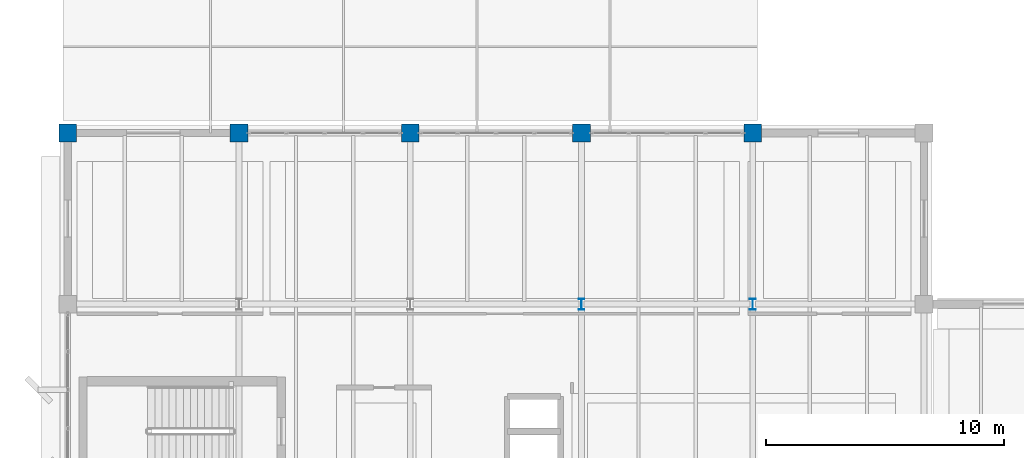
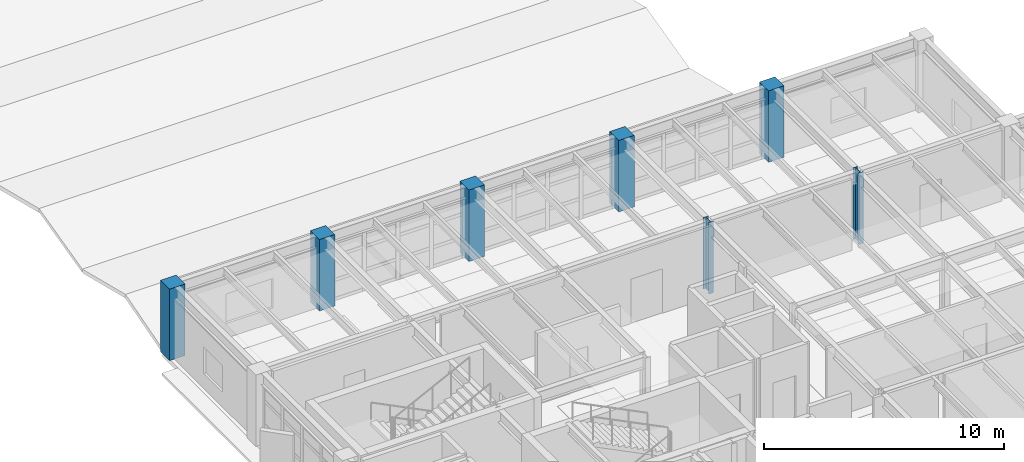
# One storey, part 2 of 48: 7 columns.
"""IFC4 building model written with IfcOpenShell, lengths in metres."""

from ifc_helpers import new_model, si_unit, direction, frame, origin, origin_2d, place, context, subcontext, project, spatial, rectangle, i_section, extrude, material, material_profile, profile_set, type_object, element, save


model = new_model("IFC4")

# Units and contexts
model_context = context("Model", 3, precision=1e-05, world=origin(), true_north=direction((0.0, 1.0)))
body_context = subcontext(model_context, "Body", "Model", "MODEL_VIEW")
ifc_project = project(units=[si_unit("LENGTHUNIT", "METRE"), si_unit("AREAUNIT", "SQUARE_METRE"), si_unit("VOLUMEUNIT", "CUBIC_METRE"), si_unit("PLANEANGLEUNIT", "RADIAN"), si_unit("MASSUNIT", "GRAM", prefix="KILO")], contexts=[model_context])

# Site, building, storey
site_placement = place(None, origin())
site = spatial("IfcSite", under=ifc_project, at=site_placement, CompositionType="ELEMENT")
building_placement = place(site_placement, origin())
building = spatial("IfcBuilding", under=site, at=building_placement, Name="Kandorven Conservatory and Botanical Research Centre", CompositionType="ELEMENT")
storey_placement = place(building_placement, frame((0.0, 0.0, 13.199951171875)))
storey = spatial("IfcBuildingStorey", under=building, at=storey_placement, Name="L03", CompositionType="ELEMENT", Elevation=13.199951171875)

# Columns
ifc_material_1 = material(Name="Steel S355 (IS 2062 E350)", Category="steel")
ifc_material_profile_1 = material_profile(ifc_material_1, i_section(OverallWidth=0.25, OverallDepth=0.449951171875, WebThickness=0.01123046875, FlangeThickness=0.013671875, at=origin_2d()))
ifc_profile_set_1 = profile_set([ifc_material_profile_1], Name="Steel S355 (IS 2062 E350)")
column_type_1 = type_object("IfcColumnType", Name="Col_SC-01", PredefinedType="COLUMN", material=ifc_profile_set_1)
for number, where, z_axis, x_axis, name in (
    (1, (27.60009765625, 27.60009765625, 0.0), (0.0, 0.0, 1.0), (1.0, 0.0, 0.0), "Column SC-01 TWR L03 (4,4)"),
    (2, (34.800048828125, 27.60009765625, 0.0), (0.0, 0.0, 1.0), (1.0, 0.0, 0.0), "Column SC-01 TWR L03 (5,4)"),
):
    element("IfcColumn", number, at=place(storey_placement, frame(where, z_axis=z_axis, x_axis=x_axis)), inside=storey, type_object=column_type_1, Name=name, PredefinedType="COLUMN", context=body_context, shape_type="SweptSolid", body=[
        extrude(i_section(OverallWidth=0.25, OverallDepth=0.449951171875, WebThickness=0.01123046875, FlangeThickness=0.013671875, at=origin_2d()), origin(), (0.0, 0.0, 1.0), 3.635009765625),
    ])
ifc_material_2 = material(Name="Concrete C40/50 (M50)", Category="concrete")
ifc_material_profile_2 = material_profile(ifc_material_2, rectangle(XDim=0.75, YDim=0.75, at=origin_2d()))
ifc_profile_set_2 = profile_set([ifc_material_profile_2], Name="Concrete C40/50 (M50)")
column_type_2 = type_object("IfcColumnType", Name="Col_TC-03", PredefinedType="COLUMN", material=ifc_profile_set_2)
for number, where, z_axis, x_axis, name in (
    (3, (6.0, 34.800048828125, 0.0), (0.0, 0.0, 1.0), (1.0, 0.0, 0.0), "Column TC-03 TWR L03 (1,5)"),
    (4, (13.199951171875, 34.800048828125, 0.0), (0.0, 0.0, 1.0), (1.0, 0.0, 0.0), "Column TC-03 TWR L03 (2,5)"),
    (5, (20.39990234375, 34.800048828125, 0.0), (0.0, 0.0, 1.0), (1.0, 0.0, 0.0), "Column TC-03 TWR L03 (3,5)"),
    (6, (27.60009765625, 34.800048828125, 0.0), (0.0, 0.0, 1.0), (1.0, 0.0, 0.0), "Column TC-03 TWR L03 (4,5)"),
    (7, (34.800048828125, 34.800048828125, 0.0), (0.0, 0.0, 1.0), (1.0, 0.0, 0.0), "Column TC-03 TWR L03 (5,5)"),
):
    element("IfcColumn", number, at=place(storey_placement, frame(where, z_axis=z_axis, x_axis=x_axis)), inside=storey, type_object=column_type_2, Name=name, PredefinedType="COLUMN", context=body_context, shape_type="SweptSolid", body=[
        extrude(rectangle(XDim=0.75, YDim=0.75, at=origin_2d()), origin(), (0.0, 0.0, 1.0), 3.635009765625),
    ])

save(model, "model.ifc")
